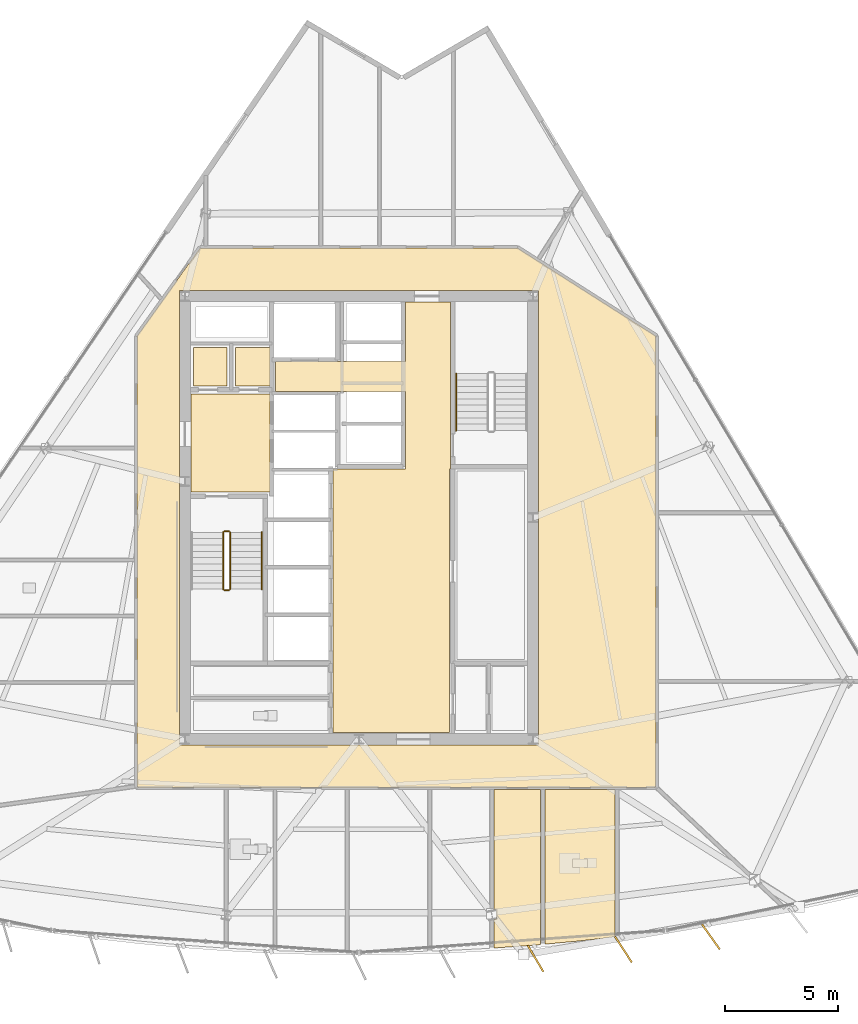
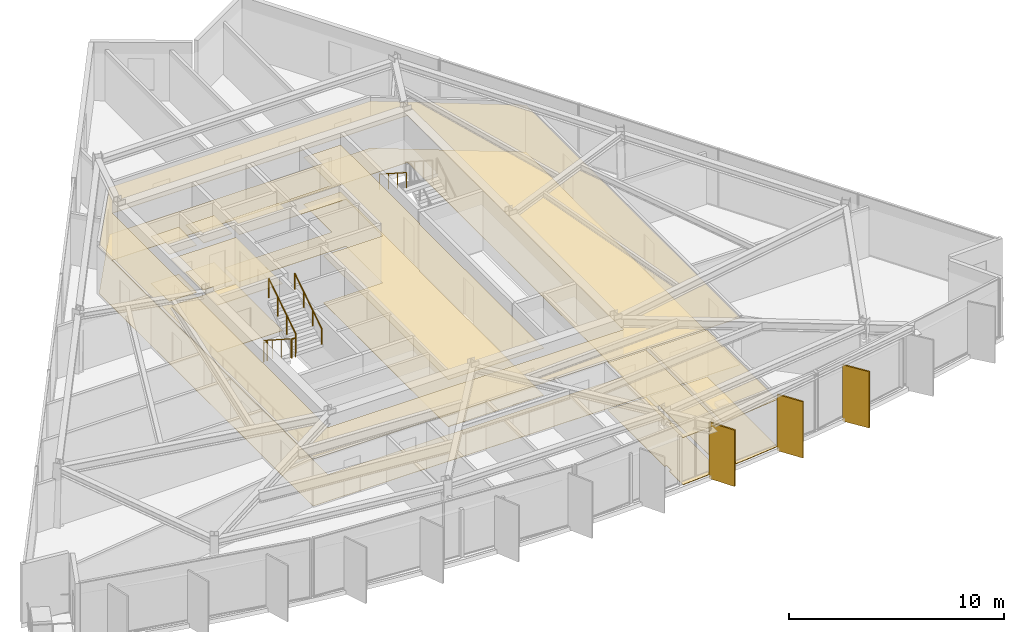
# One storey, part 12 of 15: 14 coverings, 6 railings, 3 shading devices.
"""IFC4 building model written with IfcOpenShell, lengths in metres."""

from ifc_helpers import new_model, si_unit, direction, frame, origin, origin_2d, place, context, subcontext, project, spatial, polyline, rectangle, circle, outline, extrude, material, layer, layer_set, type_object, element, save


model = new_model("IFC4")

# Units and contexts
model_context = context("Model", 3, precision=1e-05, world=origin(), true_north=direction((0.0, 1.0)))
body_context = subcontext(model_context, "Body", "Model", "MODEL_VIEW")
ifc_project = project(units=[si_unit("LENGTHUNIT", "METRE"), si_unit("AREAUNIT", "SQUARE_METRE"), si_unit("VOLUMEUNIT", "CUBIC_METRE"), si_unit("PLANEANGLEUNIT", "RADIAN"), si_unit("MASSUNIT", "GRAM", prefix="KILO")], contexts=[model_context])

# Site, building, storey
site_placement = place(None, origin())
site = spatial("IfcSite", under=ifc_project, at=site_placement, CompositionType="ELEMENT")
building_placement = place(site_placement, origin())
building = spatial("IfcBuilding", under=site, at=building_placement, Name="Savorim Split Tower", CompositionType="ELEMENT")
storey_placement = place(building_placement, frame((0.0, 0.0, 167.39990234375)))
storey = spatial("IfcBuildingStorey", under=building, at=storey_placement, Name="L44", CompositionType="ELEMENT", Elevation=167.39990234375)

# Coverings
ifc_material_1 = material(Name="Mineral Fibre Acoustic Ceiling")
ifc_layer_1 = layer(ifc_material_1, 0.02490234375)
ifc_layer_set_1 = layer_set([ifc_layer_1], Name="COV-CEIL-25")
covering_type_1 = type_object("IfcCoveringType", Name="COV-CEIL-25", PredefinedType="CEILING", material=ifc_layer_set_1)
covering_1_placement = place(storey_placement, frame((0.0, 0.0, 2.670166015625)))
element("IfcCovering", 1, at=covering_1_placement, inside=storey, type_object=covering_type_1, Name="L44 Firefighting Lift Lobby Acoustic Ceiling", PredefinedType="CEILING", context=body_context, shape_type="SweptSolid", body=[
    extrude(outline(polyline([(-7.429931640625, 5.8701171875), (-7.429931640625, 1.530029296875), (-3.929931640625, 1.530029296875), (-3.929931640625, 5.8701171875), (-7.429931640625, 5.8701171875)])), origin(), (0.0, 0.0, 1.0), 0.02490234375),
])
covering_2_placement = place(storey_placement, frame((0.0, 0.0, 2.670166015625)))
element("IfcCovering", 2, at=covering_2_placement, inside=storey, type_object=covering_type_1, Name="L44 Electrical Riser Acoustic Ceiling", PredefinedType="CEILING", context=body_context, shape_type="SweptSolid", body=[
    extrude(outline(polyline([(-7.320068359375, 7.919921875), (-7.320068359375, 6.22998046875), (-5.830078125, 6.22998046875), (-5.830078125, 7.919921875), (-7.320068359375, 7.919921875)])), origin(), (0.0, 0.0, 1.0), 0.02490234375),
])
covering_3_placement = place(storey_placement, frame((0.0, 0.0, 2.670166015625)))
element("IfcCovering", 3, at=covering_3_placement, inside=storey, type_object=covering_type_1, Name="L44 Telecom Riser Acoustic Ceiling", PredefinedType="CEILING", context=body_context, shape_type="SweptSolid", body=[
    extrude(outline(polyline([(-5.469970703125, 7.919921875), (-5.469970703125, 6.22998046875), (-3.929931640625, 6.22998046875), (-3.929931640625, 7.919921875), (-5.469970703125, 7.919921875)])), origin(), (0.0, 0.0, 1.0), 0.02490234375),
])
covering_4_placement = place(storey_placement, frame((0.0, 0.0, 2.670166015625)))
element("IfcCovering", 4, at=covering_4_placement, inside=storey, type_object=covering_type_1, Name="L44 Lift Lobby Acoustic Ceiling", PredefinedType="CEILING", context=body_context, shape_type="SweptSolid", body=[
    extrude(outline(polyline([(2.050048828125, 2.550048828125), (-1.14990234375, 2.550048828125), (-1.14990234375, -9.10009765625), (4.0, -9.10009765625), (4.0, 2.550048828125), (4.050048828125, 2.550048828125), (4.050048828125, 5.97998046875), (4.050048828125, 7.300048828125), (4.050048828125, 9.929931640625), (2.050048828125, 9.929931640625), (2.050048828125, 7.300048828125), (-3.699951171875, 7.300048828125), (-3.699951171875, 5.97998046875), (2.050048828125, 5.97998046875), (2.050048828125, 2.550048828125)])), origin(), (0.0, 0.0, 1.0), 0.02490234375),
])
covering_5_placement = place(storey_placement, frame((0.0, 0.0, 2.670166015625)))
element("IfcCovering", 5, at=covering_5_placement, inside=storey, type_object=covering_type_1, Name="L44 Corridor Acoustic Ceiling", PredefinedType="CEILING", context=body_context, shape_type="SweptSolid", body=[
    extrude(outline(polyline([(7.009521484375, 12.3291015625), (7.004638671875, 12.329833984375), (7.0, 12.330078125), (-7.0, 12.330078125), (-7.004638671875, 12.329833984375), (-7.009521484375, 12.3291015625), (-7.013916015625, 12.327880859375), (-7.0185546875, 12.326416015625), (-7.022705078125, 12.324462890625), (-7.027099609375, 12.322021484375), (-7.03076171875, 12.3193359375), (-7.034423828125, 12.31640625), (-7.03759765625, 12.312744140625), (-7.04052734375, 12.30908203125), (-9.820556640625, 8.42919921875), (-9.823486328125, 8.4248046875), (-9.82568359375, 8.420166015625), (-9.82763671875, 8.415283203125), (-9.828857421875, 8.410400390625), (-9.82958984375, 8.4052734375), (-9.830078125, 8.39990234375), (-9.830078125, -11.47998046875), (-9.829833984375, -11.48486328125), (-9.8291015625, -11.48974609375), (-9.827880859375, -11.494384765625), (-9.826171875, -11.4990234375), (-9.82421875, -11.503662109375), (-9.821533203125, -11.5078125), (-9.818603515625, -11.51171875), (-9.8154296875, -11.515380859375), (-9.811767578125, -11.518798828125), (-9.807861328125, -11.521484375), (-9.8037109375, -11.524169921875), (-9.799072265625, -11.526123046875), (-9.79443359375, -11.52783203125), (-9.789794921875, -11.529052734375), (-9.784912109375, -11.52978515625), (-9.780029296875, -11.530029296875), (13.10009765625, -11.530029296875), (13.10498046875, -11.52978515625), (13.10986328125, -11.529052734375), (13.114501953125, -11.52783203125), (13.119140625, -11.526123046875), (13.12353515625, -11.524169921875), (13.127685546875, -11.521484375), (13.131591796875, -11.518798828125), (13.135498046875, -11.515380859375), (13.138671875, -11.51171875), (13.1416015625, -11.5078125), (13.14404296875, -11.503662109375), (13.146240234375, -11.4990234375), (13.147705078125, -11.494384765625), (13.14892578125, -11.48974609375), (13.14990234375, -11.48486328125), (13.14990234375, -11.47998046875), (13.14990234375, 8.39990234375), (13.149658203125, 8.405029296875), (13.14892578125, 8.409912109375), (13.147705078125, 8.414794921875), (13.14599609375, 8.41943359375), (13.143798828125, 8.424072265625), (13.14111328125, 8.42822265625), (13.13818359375, 8.432373046875), (13.134765625, 8.43603515625), (13.130859375, 8.439208984375), (13.126708984375, 8.442138671875), (7.02685546875, 12.322265625), (7.022705078125, 12.324462890625), (7.018310546875, 12.326416015625), (7.013916015625, 12.327880859375), (7.009521484375, 12.3291015625)]), holes=[polyline([(-7.949951171875, 10.449951171875), (-7.949951171875, -9.64990234375), (7.949951171875, -9.64990234375), (7.949951171875, 10.449951171875), (-7.949951171875, 10.449951171875)])]), origin(), (0.0, 0.0, 1.0), 0.02490234375),
])
covering_6_placement = place(storey_placement, frame((0.0, 0.0, 2.670166015625)))
element("IfcCovering", 6, at=covering_6_placement, inside=storey, type_object=covering_type_1, Name="L44 Quiet Study Room Acoustic Ceiling", PredefinedType="CEILING", context=body_context, shape_type="SweptSolid", body=[
    extrude(outline(polyline([(5.96875, -18.599609375), (5.96875, -18.642822265625), (7.7626953125, -18.51416015625), (8.032958984375, -18.489013671875), (8.032958984375, -11.6201171875), (5.96875, -11.6201171875), (5.96875, -16.932373046875), (6.084228515625, -16.932373046875), (6.084228515625, -17.351318359375), (5.96875, -17.351318359375), (5.96875, -18.599609375)])), origin(), (0.0, 0.0, 1.0), 0.02490234375),
])
covering_7_placement = place(storey_placement, frame((0.0, 0.0, 2.670166015625)))
element("IfcCovering", 7, at=covering_7_placement, inside=storey, type_object=covering_type_1, Name="L44 Shared Bathroom Acoustic Ceiling", PredefinedType="CEILING", context=body_context, shape_type="SweptSolid", body=[
    extrude(outline(polyline([(8.222900390625, -11.6201171875), (8.222900390625, -18.4716796875), (9.697509765625, -18.33544921875), (11.3271484375, -18.1513671875), (11.3271484375, -11.6201171875), (8.222900390625, -11.6201171875)])), origin(), (0.0, 0.0, 1.0), 0.02490234375),
])
ifc_material_2 = material(Name="Porcelain Stoneware Flooring", Category="masonry")
ifc_layer_2 = layer(ifc_material_2, 0.02001953125)
ifc_layer_set_2 = layer_set([ifc_layer_2], Name="COV-FLOR-20")
covering_type_2 = type_object("IfcCoveringType", Name="COV-FLOR-20", PredefinedType="FLOORING", material=ifc_layer_set_2)
covering_8_placement = place(storey_placement, origin())
element("IfcCovering", 8, at=covering_8_placement, inside=storey, type_object=covering_type_2, Name="L44 Firefighting Lift Lobby Porcelain Flooring", PredefinedType="FLOORING", context=body_context, shape_type="SweptSolid", body=[
    extrude(outline(polyline([(-7.429931640625, 5.8701171875), (-7.429931640625, 1.530029296875), (-3.929931640625, 1.530029296875), (-3.929931640625, 5.8701171875), (-7.429931640625, 5.8701171875)])), origin(), (0.0, 0.0, 1.0), 0.02001953125),
])
covering_9_placement = place(storey_placement, origin())
element("IfcCovering", 9, at=covering_9_placement, inside=storey, type_object=covering_type_2, Name="L44 Electrical Riser Porcelain Flooring", PredefinedType="FLOORING", context=body_context, shape_type="SweptSolid", body=[
    extrude(outline(polyline([(-7.320068359375, 7.919921875), (-7.320068359375, 6.22998046875), (-5.830078125, 6.22998046875), (-5.830078125, 7.919921875), (-7.320068359375, 7.919921875)])), origin(), (0.0, 0.0, 1.0), 0.02001953125),
])
covering_10_placement = place(storey_placement, origin())
element("IfcCovering", 10, at=covering_10_placement, inside=storey, type_object=covering_type_2, Name="L44 Telecom Riser Porcelain Flooring", PredefinedType="FLOORING", context=body_context, shape_type="SweptSolid", body=[
    extrude(outline(polyline([(-5.469970703125, 7.919921875), (-5.469970703125, 6.22998046875), (-3.929931640625, 6.22998046875), (-3.929931640625, 7.919921875), (-5.469970703125, 7.919921875)])), origin(), (0.0, 0.0, 1.0), 0.02001953125),
])
covering_11_placement = place(storey_placement, origin())
element("IfcCovering", 11, at=covering_11_placement, inside=storey, type_object=covering_type_2, Name="L44 Lift Lobby Porcelain Flooring", PredefinedType="FLOORING", context=body_context, shape_type="SweptSolid", body=[
    extrude(outline(polyline([(2.050048828125, 2.550048828125), (-1.14990234375, 2.550048828125), (-1.14990234375, -9.10009765625), (4.0, -9.10009765625), (4.0, 2.550048828125), (4.050048828125, 2.550048828125), (4.050048828125, 5.97998046875), (4.050048828125, 7.300048828125), (4.050048828125, 9.929931640625), (2.050048828125, 9.929931640625), (2.050048828125, 7.300048828125), (-3.699951171875, 7.300048828125), (-3.699951171875, 5.97998046875), (2.050048828125, 5.97998046875), (2.050048828125, 2.550048828125)])), origin(), (0.0, 0.0, 1.0), 0.02001953125),
])
covering_12_placement = place(storey_placement, origin())
element("IfcCovering", 12, at=covering_12_placement, inside=storey, type_object=covering_type_2, Name="L44 Corridor Porcelain Flooring", PredefinedType="FLOORING", context=body_context, shape_type="SweptSolid", body=[
    extrude(outline(polyline([(7.009521484375, 12.3291015625), (7.004638671875, 12.329833984375), (7.0, 12.330078125), (-7.0, 12.330078125), (-7.004638671875, 12.329833984375), (-7.009521484375, 12.3291015625), (-7.013916015625, 12.327880859375), (-7.0185546875, 12.326416015625), (-7.022705078125, 12.324462890625), (-7.027099609375, 12.322021484375), (-7.03076171875, 12.3193359375), (-7.034423828125, 12.31640625), (-7.03759765625, 12.312744140625), (-7.04052734375, 12.30908203125), (-9.820556640625, 8.42919921875), (-9.823486328125, 8.4248046875), (-9.82568359375, 8.420166015625), (-9.82763671875, 8.415283203125), (-9.828857421875, 8.410400390625), (-9.82958984375, 8.4052734375), (-9.830078125, 8.39990234375), (-9.830078125, -11.47998046875), (-9.829833984375, -11.48486328125), (-9.8291015625, -11.48974609375), (-9.827880859375, -11.494384765625), (-9.826171875, -11.4990234375), (-9.82421875, -11.503662109375), (-9.821533203125, -11.5078125), (-9.818603515625, -11.51171875), (-9.8154296875, -11.515380859375), (-9.811767578125, -11.518798828125), (-9.807861328125, -11.521484375), (-9.8037109375, -11.524169921875), (-9.799072265625, -11.526123046875), (-9.79443359375, -11.52783203125), (-9.789794921875, -11.529052734375), (-9.784912109375, -11.52978515625), (-9.780029296875, -11.530029296875), (13.10009765625, -11.530029296875), (13.10498046875, -11.52978515625), (13.10986328125, -11.529052734375), (13.114501953125, -11.52783203125), (13.119140625, -11.526123046875), (13.12353515625, -11.524169921875), (13.127685546875, -11.521484375), (13.131591796875, -11.518798828125), (13.135498046875, -11.515380859375), (13.138671875, -11.51171875), (13.1416015625, -11.5078125), (13.14404296875, -11.503662109375), (13.146240234375, -11.4990234375), (13.147705078125, -11.494384765625), (13.14892578125, -11.48974609375), (13.14990234375, -11.48486328125), (13.14990234375, -11.47998046875), (13.14990234375, 8.39990234375), (13.149658203125, 8.405029296875), (13.14892578125, 8.409912109375), (13.147705078125, 8.414794921875), (13.14599609375, 8.41943359375), (13.143798828125, 8.424072265625), (13.14111328125, 8.42822265625), (13.13818359375, 8.432373046875), (13.134765625, 8.43603515625), (13.130859375, 8.439208984375), (13.126708984375, 8.442138671875), (7.02685546875, 12.322265625), (7.022705078125, 12.324462890625), (7.018310546875, 12.326416015625), (7.013916015625, 12.327880859375), (7.009521484375, 12.3291015625)]), holes=[polyline([(-7.949951171875, 10.449951171875), (-7.949951171875, -9.64990234375), (7.949951171875, -9.64990234375), (7.949951171875, 10.449951171875), (-7.949951171875, 10.449951171875)])]), origin(), (0.0, 0.0, 1.0), 0.02001953125),
])
covering_13_placement = place(storey_placement, origin())
element("IfcCovering", 13, at=covering_13_placement, inside=storey, type_object=covering_type_2, Name="L44 Quiet Study Room Porcelain Flooring", PredefinedType="FLOORING", context=body_context, shape_type="SweptSolid", body=[
    extrude(outline(polyline([(5.96875, -18.599609375), (5.96875, -18.642822265625), (7.7626953125, -18.51416015625), (8.032958984375, -18.489013671875), (8.032958984375, -11.6201171875), (5.96875, -11.6201171875), (5.96875, -16.932373046875), (6.084228515625, -16.932373046875), (6.084228515625, -17.351318359375), (5.96875, -17.351318359375), (5.96875, -18.599609375)])), origin(), (0.0, 0.0, 1.0), 0.02001953125),
])
covering_14_placement = place(storey_placement, origin())
element("IfcCovering", 14, at=covering_14_placement, inside=storey, type_object=covering_type_2, Name="L44 Shared Bathroom Porcelain Flooring", PredefinedType="FLOORING", context=body_context, shape_type="SweptSolid", body=[
    extrude(outline(polyline([(8.222900390625, -11.6201171875), (8.222900390625, -18.4716796875), (9.697509765625, -18.33544921875), (11.3271484375, -18.1513671875), (11.3271484375, -11.6201171875), (8.222900390625, -11.6201171875)])), origin(), (0.0, 0.0, 1.0), 0.02001953125),
])

# Railings
ifc_material_3 = material(Name="Galvanised Painted Steel Balustrade", Category="steel")
railing_type_1 = type_object("IfcRailingType", Name="RLG-HR-900", PredefinedType="HANDRAIL", material=ifc_material_3)
railing_1_placement = place(storey_placement, frame((-4.300048828125, -2.77001953125, 1.97998046875)))
element("IfcRailing", 15, at=railing_1_placement, inside=storey, type_object=railing_type_1, Name="L44 ST-1 stair handrail 2", PredefinedType="HANDRAIL", context=body_context, shape_type="SweptSolid", body=[
    extrude(circle(Radius=0.02392578125, at=origin_2d()), frame((0.0, 0.0, 0.8759765625), z_axis=(0.0, 0.841162588446, 0.540782303519), x_axis=(-1.0, 0.0, 0.0)), (0.0, 0.0, 1.0), 2.995849609375),
    extrude(circle(Radius=0.02099609375, at=origin_2d()), origin(), (0.0, 0.0, 1.0), 0.851806640625),
    extrude(circle(Radius=0.02099609375, at=origin_2d()), frame((0.0, 0.840087890625, 0.5400390625)), (0.0, 0.0, 1.0), 0.851806640625),
    extrude(circle(Radius=0.02099609375, at=origin_2d()), frame((0.0, 1.679931640625, 1.080078125)), (0.0, 0.0, 1.0), 0.851806640625),
    extrude(circle(Radius=0.02099609375, at=origin_2d()), frame((0.0, 2.52001953125, 1.6201171875)), (0.0, 0.0, 1.0), 0.851806640625),
])
railing_2_placement = place(storey_placement, frame((4.300048828125, 6.77001953125, 1.97998046875)))
element("IfcRailing", 16, at=railing_2_placement, inside=storey, type_object=railing_type_1, Name="L44 ST-2 stair handrail 2", PredefinedType="HANDRAIL", context=body_context, shape_type="SweptSolid", body=[
    extrude(circle(Radius=0.02392578125, at=origin_2d()), frame((0.0, 0.0, 0.8759765625), z_axis=(0.0, -0.841162588446, 0.540782303519), x_axis=(1.0, 0.0, 0.0)), (0.0, 0.0, 1.0), 2.995849609375),
    extrude(circle(Radius=0.02099609375, at=origin_2d()), origin(), (0.0, 0.0, 1.0), 0.851806640625),
    extrude(circle(Radius=0.02099609375, at=origin_2d()), frame((0.0, -0.840087890625, 0.5400390625)), (0.0, 0.0, 1.0), 0.851806640625),
    extrude(circle(Radius=0.02099609375, at=origin_2d()), frame((0.0, -1.679931640625, 1.080078125)), (0.0, 0.0, 1.0), 0.851806640625),
    extrude(circle(Radius=0.02099609375, at=origin_2d()), frame((0.0, -2.52001953125, 1.6201171875)), (0.0, 0.0, 1.0), 0.851806640625),
])
railing_type_2 = type_object("IfcRailingType", Name="RLG-STG-1100", PredefinedType="BALUSTRADE", material=ifc_material_3)
railing_3_placement = place(storey_placement, frame((-6.0, -0.25, 0.18017578125)))
element("IfcRailing", 17, at=railing_3_placement, inside=storey, type_object=railing_type_2, Name="L44 ST-1 stair guard 1", PredefinedType="BALUSTRADE", context=body_context, shape_type="SweptSolid", body=[
    extrude(circle(Radius=0.02392578125, at=origin_2d()), frame((0.0, 0.0, 1.076171875), z_axis=(0.0, -0.841199657755, 0.540724639528), x_axis=(1.0, 0.0, 0.0)), (0.0, 0.0, 1.0), 2.995849609375),
    extrude(circle(Radius=0.02099609375, at=origin_2d()), origin(), (0.0, 0.0, 1.0), 1.052001953125),
    extrude(circle(Radius=0.02099609375, at=origin_2d()), frame((0.0, -0.840087890625, 0.5400390625)), (0.0, 0.0, 1.0), 1.052001953125),
    extrude(circle(Radius=0.02099609375, at=origin_2d()), frame((0.0, -1.679931640625, 1.079833984375)), (0.0, 0.0, 1.0), 1.052001953125),
    extrude(circle(Radius=0.02099609375, at=origin_2d()), frame((0.0, -2.52001953125, 1.619873046875)), (0.0, 0.0, 1.0), 1.052001953125),
])
railing_4_placement = place(storey_placement, frame((-5.949951171875, -2.820068359375, 1.800048828125)))
element("IfcRailing", 18, at=railing_4_placement, inside=storey, type_object=railing_type_2, Name="L44 ST-1 stair guard 2", PredefinedType="BALUSTRADE", context=body_context, shape_type="SweptSolid", body=[
    extrude(circle(Radius=0.02392578125, at=origin_2d()), frame((0.0, 0.0, 1.076171875), z_axis=(1.0, 0.0, 0.0), x_axis=(0.0, 1.0, 0.0)), (0.0, 0.0, 1.0), 0.199951171875),
    extrude(circle(Radius=0.02099609375, at=origin_2d()), origin(), (0.0, 0.0, 1.0), 1.052001953125),
    extrude(circle(Radius=0.02099609375, at=origin_2d()), frame((0.199951171875, 0.0, 0.0)), (0.0, 0.0, 1.0), 1.052001953125),
])
railing_5_placement = place(storey_placement, frame((-5.699951171875, -2.77001953125, 1.97998046875)))
element("IfcRailing", 19, at=railing_5_placement, inside=storey, type_object=railing_type_2, Name="L44 ST-1 stair guard 3", PredefinedType="BALUSTRADE", context=body_context, shape_type="SweptSolid", body=[
    extrude(circle(Radius=0.02392578125, at=origin_2d()), frame((0.0, 0.0, 1.076171875), z_axis=(0.0, 0.841162588446, 0.540782303519), x_axis=(-1.0, 0.0, 0.0)), (0.0, 0.0, 1.0), 2.995849609375),
    extrude(circle(Radius=0.02099609375, at=origin_2d()), origin(), (0.0, 0.0, 1.0), 1.052001953125),
    extrude(circle(Radius=0.02099609375, at=origin_2d()), frame((0.0, 0.840087890625, 0.5400390625)), (0.0, 0.0, 1.0), 1.052001953125),
    extrude(circle(Radius=0.02099609375, at=origin_2d()), frame((0.0, 1.679931640625, 1.080078125)), (0.0, 0.0, 1.0), 1.052001953125),
    extrude(circle(Radius=0.02099609375, at=origin_2d()), frame((0.0, 2.52001953125, 1.6201171875)), (0.0, 0.0, 1.0), 1.052001953125),
])
railing_6_placement = place(storey_placement, frame((-5.949951171875, -0.199951171875, 0.0)))
element("IfcRailing", 20, at=railing_6_placement, inside=storey, type_object=railing_type_2, Name="L44 ST-1 stair guard 4", PredefinedType="BALUSTRADE", context=body_context, shape_type="SweptSolid", body=[
    extrude(circle(Radius=0.02392578125, at=origin_2d()), frame((0.0, 0.0, 1.076171875), z_axis=(1.0, 0.0, 0.0), x_axis=(0.0, 1.0, 0.0)), (0.0, 0.0, 1.0), 0.199951171875),
    extrude(circle(Radius=0.02099609375, at=origin_2d()), origin(), (0.0, 0.0, 1.0), 1.052001953125),
    extrude(circle(Radius=0.02099609375, at=origin_2d()), frame((0.199951171875, 0.0, 0.0)), (0.0, 0.0, 1.0), 1.052001953125),
])

# Shading devices
ifc_material_4 = material(Name="Terracotta Ceramic-Coated Aluminium Fin", Category="masonry")
shading_device_type = type_object("IfcShadingDeviceType", Name="SHD-FIN-1360", PredefinedType="USERDEFINED", material=ifc_material_4)
for number, where, z_axis, x_axis, name in (
    (21, (7.8115234375, -19.108154296875, -0.19970703125), (0.0, 0.0, 1.0), (0.510391336723, -0.859942255851, 0.0), "L44 Sawtooth Shading Fin 09"),
    (22, (11.700927734375, -18.708740234375, -0.19970703125), (0.0, 0.0, 1.0), (0.545148321708, -0.838339613366, 0.0), "L44 Sawtooth Shading Fin 10"),
    (23, (15.57080078125, -18.150634765625, -0.19970703125), (0.0, 0.0, 1.0), (0.578993757737, -0.815331974414, 0.0), "L44 Sawtooth Shading Fin 11"),
):
    element("IfcShadingDevice", number, at=place(storey_placement, frame(where, z_axis=z_axis, x_axis=x_axis)), inside=storey, type_object=shading_device_type, Name=name, ObjectType="FIN", PredefinedType="USERDEFINED", context=body_context, shape_type="SweptSolid", body=[
        extrude(rectangle(XDim=1.360107421875, YDim=0.080078125, at=origin_2d()), origin(), (0.0, 0.0, 1.0), 3.199951171875),
    ])

save(model, "model.ifc")
